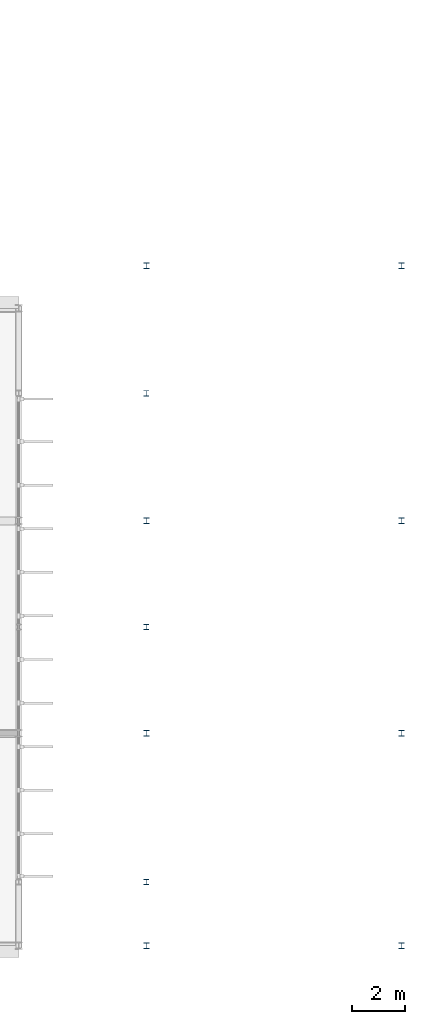
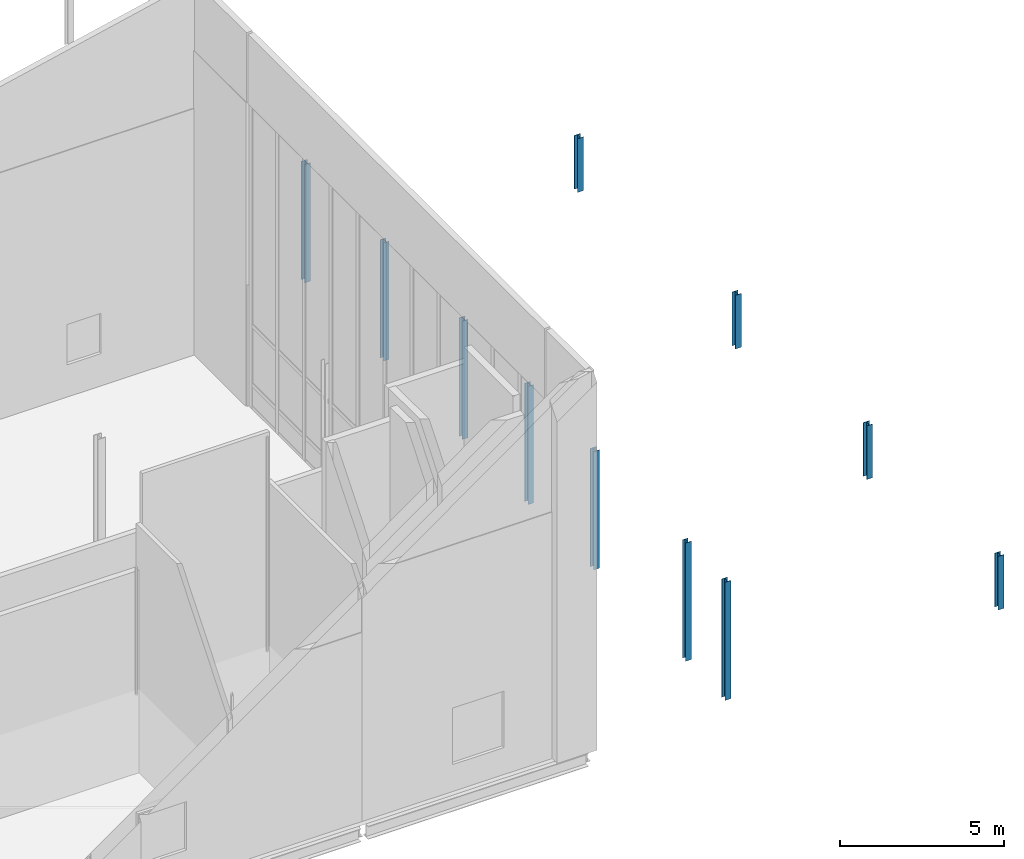
# One storey, part 11 of 59: 11 columns.
"""IFC4 building model written with IfcOpenShell, lengths in metres."""

from ifc_helpers import new_model, si_unit, direction, frame, origin, origin_2d, place, context, subcontext, project, spatial, i_section, extrude, material, material_profile, profile_set, type_object, element, save


model = new_model("IFC4")

# Units and contexts
model_context = context("Model", 3, precision=1e-05, world=origin(), true_north=direction((0.0, 1.0)))
body_context = subcontext(model_context, "Body", "Model", "MODEL_VIEW")
ifc_project = project(units=[si_unit("LENGTHUNIT", "METRE"), si_unit("AREAUNIT", "SQUARE_METRE"), si_unit("VOLUMEUNIT", "CUBIC_METRE"), si_unit("PLANEANGLEUNIT", "RADIAN"), si_unit("MASSUNIT", "GRAM", prefix="KILO")], contexts=[model_context])

# Site, building, storey
site_placement = place(None, origin())
site = spatial("IfcSite", under=ifc_project, at=site_placement, CompositionType="ELEMENT")
building_placement = place(site_placement, origin())
building = spatial("IfcBuilding", under=site, at=building_placement, Name="Dunescarp Central Library", CompositionType="ELEMENT")
storey_placement = place(building_placement, frame((0.0, 0.0, 18.60009765625)))
storey = spatial("IfcBuildingStorey", under=building, at=storey_placement, Name="L04", CompositionType="ELEMENT", Elevation=18.60009765625)

# Columns
ifc_material = material(Name="Steel S355JR", Category="steel")
ifc_material_profile_1 = material_profile(ifc_material, i_section(OverallWidth=0.20361328125, OverallDepth=0.203125, WebThickness=0.007080078125, FlangeThickness=0.010986328125, at=origin_2d()), Name="UC 203x203x46")
ifc_profile_set_1 = profile_set([ifc_material_profile_1], Name="Steel S355JR")
column_type_1 = type_object("IfcColumnType", Name="STR-COL-UC203X46", PredefinedType="COLUMN", material=ifc_profile_set_1)
for number, where, z_axis, x_axis, name in (
    (1, (129.60009765625, 7.199951171875, 0.0), (0.0, 0.0, 1.0), (1.0, 0.0, 0.0), "L04 column V5L-72"),
    (2, (129.60009765625, 16.800048828125, 0.0), (0.0, 0.0, 1.0), (1.0, 0.0, 0.0), "L04 column V5L-168"),
    (3, (129.60009765625, 25.60009765625, 0.0), (0.0, 0.0, 1.0), (1.0, 0.0, 0.0), "L04 column V5L-256"),
):
    element("IfcColumn", number, at=place(storey_placement, frame(where, z_axis=z_axis, x_axis=x_axis)), inside=storey, type_object=column_type_1, Name=name, PredefinedType="COLUMN", context=body_context, shape_type="SweptSolid", body=[
        extrude(i_section(OverallWidth=0.20361328125, OverallDepth=0.203125, WebThickness=0.007080078125, FlangeThickness=0.010986328125, at=origin_2d()), origin(), (0.0, 0.0, 1.0), 4.392822265625),
    ])
ifc_material_profile_2 = material_profile(ifc_material, i_section(OverallWidth=0.206298828125, OverallDepth=0.2158203125, WebThickness=0.010009765625, FlangeThickness=0.017333984375, at=origin_2d()), Name="UC 203x203x71")
ifc_profile_set_2 = profile_set([ifc_material_profile_2], Name="Steel S355JR")
column_type_2 = type_object("IfcColumnType", Name="STR-COL-UC203X71", PredefinedType="COLUMN", material=ifc_profile_set_2)
for number, where, z_axis, x_axis, name in (
    (4, (129.60009765625, 4.800048828125, 0.0), (0.0, 0.0, 1.0), (1.0, 0.0, 0.0), "L04 column V5-1296-48"),
    (5, (129.60009765625, 12.800048828125, 0.0), (0.0, 0.0, 1.0), (1.0, 0.0, 0.0), "L04 column V5-1296-128"),
    (6, (129.60009765625, 20.800048828125, 0.0), (0.0, 0.0, 1.0), (1.0, 0.0, 0.0), "L04 column V5-1296-208"),
    (7, (129.60009765625, 30.39990234375, 0.0), (0.0, 0.0, 1.0), (1.0, 0.0, 0.0), "L04 column V5-1296-304"),
):
    element("IfcColumn", number, at=place(storey_placement, frame(where, z_axis=z_axis, x_axis=x_axis)), inside=storey, type_object=column_type_2, Name=name, PredefinedType="COLUMN", context=body_context, shape_type="SweptSolid", body=[
        extrude(i_section(OverallWidth=0.206298828125, OverallDepth=0.2158203125, WebThickness=0.010009765625, FlangeThickness=0.017333984375, at=origin_2d()), origin(), (0.0, 0.0, 1.0), 4.392822265625),
    ])
for number, where, z_axis, x_axis, name in (
    (8, (139.199951171875, 4.800048828125, 0.0), (0.0, 0.0, 1.0), (1.0, 0.0, 0.0), "L04 column V5-1392-48"),
    (9, (139.199951171875, 12.800048828125, 0.0), (0.0, 0.0, 1.0), (1.0, 0.0, 0.0), "L04 column V5-1392-128"),
    (10, (139.199951171875, 20.800048828125, 0.0), (0.0, 0.0, 1.0), (1.0, 0.0, 0.0), "L04 column V5-1392-208"),
    (11, (139.199951171875, 30.39990234375, 0.0), (0.0, 0.0, 1.0), (1.0, 0.0, 0.0), "L04 column V5-1392-304"),
):
    element("IfcColumn", number, at=place(storey_placement, frame(where, z_axis=z_axis, x_axis=x_axis)), inside=storey, type_object=column_type_2, Name=name, PredefinedType="COLUMN", context=body_context, shape_type="SweptSolid", body=[
        extrude(i_section(OverallWidth=0.206298828125, OverallDepth=0.2158203125, WebThickness=0.010009765625, FlangeThickness=0.017333984375, at=origin_2d()), origin(), (0.0, 0.0, 1.0), 1.992919921875),
    ])

save(model, "model.ifc")
